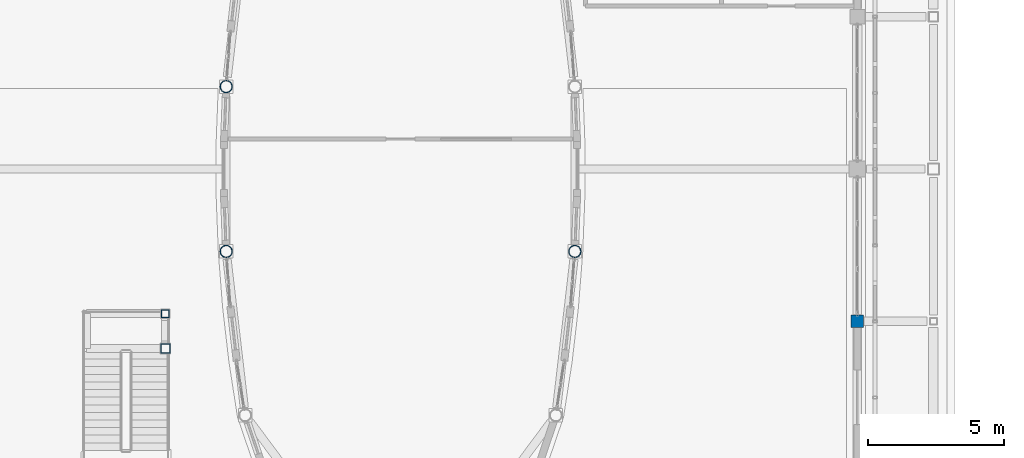
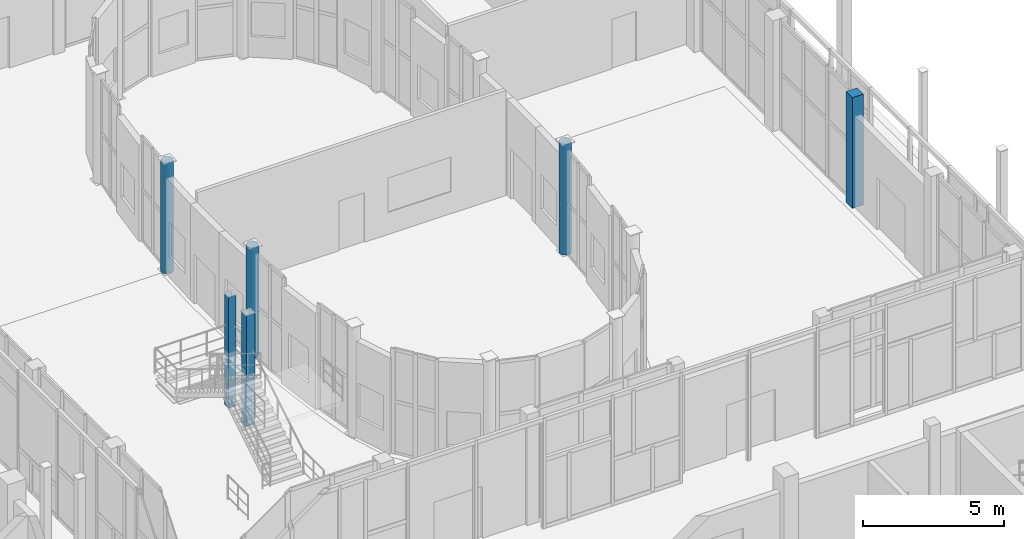
# One storey, part 11 of 91: 6 columns.
"""IFC4 building model written with IfcOpenShell, lengths in metres."""

from ifc_helpers import new_model, si_unit, direction, frame, origin, origin_2d, place, context, subcontext, project, spatial, rectangle, hollow_rectangle, hollow_circle, extrude, material, material_profile, profile_set, type_object, element, save


model = new_model("IFC4")

# Units and contexts
model_context = context("Model", 3, precision=1e-05, world=origin(), true_north=direction((0.0, 1.0)))
body_context = subcontext(model_context, "Body", "Model", "MODEL_VIEW")
ifc_project = project(units=[si_unit("LENGTHUNIT", "METRE"), si_unit("AREAUNIT", "SQUARE_METRE"), si_unit("VOLUMEUNIT", "CUBIC_METRE"), si_unit("PLANEANGLEUNIT", "RADIAN"), si_unit("MASSUNIT", "GRAM", prefix="KILO")], contexts=[model_context])

# Site, building, storey
site_placement = place(None, origin())
site = spatial("IfcSite", under=ifc_project, at=site_placement, CompositionType="ELEMENT")
building_placement = place(site_placement, origin())
building = spatial("IfcBuilding", under=site, at=building_placement, Name="Vinh Khe Railworks Police Headquarters", CompositionType="ELEMENT")
storey_placement = place(building_placement, origin())
storey = spatial("IfcBuildingStorey", under=building, at=storey_placement, Name="L00", CompositionType="ELEMENT", Elevation=0.0)

# Columns
ifc_material_1 = material(Name="Concrete C40/50 (B40)", Category="concrete")
ifc_material_profile_1 = material_profile(ifc_material_1, rectangle(XDim=0.449951171875, YDim=0.449951171875, at=origin_2d()), Name="RC 450x450")
ifc_profile_set_1 = profile_set([ifc_material_profile_1], Name="Concrete C40/50 (B40)")
column_type_1 = type_object("IfcColumnType", Name="RC Column RC 450x450", PredefinedType="COLUMN", material=ifc_profile_set_1)
column_1_placement = place(storey_placement, frame((60.0, 36.39990234375, 0.0), z_axis=(0.0, 0.0, 1.0), x_axis=(1.0, 0.0, 0.0)))
element("IfcColumn", 1, at=column_1_placement, inside=storey, type_object=column_type_1, Name="Column COL-L00-CC-08-1018", PredefinedType="COLUMN", context=body_context, shape_type="SweptSolid", body=[
    extrude(rectangle(XDim=0.449951171875, YDim=0.449951171875, at=origin_2d()), origin(), (0.0, 0.0, 1.0), 4.800048828125),
])
ifc_material_2 = material(Name="Steel S355JR", Category="steel")
ifc_material_profile_2 = material_profile(ifc_material_2, hollow_circle(Radius=0.228515625, WallThickness=0.02001953125, at=origin_2d()), Name="CHS 457x20")
ifc_profile_set_2 = profile_set([ifc_material_profile_2], Name="Steel S355JR")
column_type_2 = type_object("IfcColumnType", Name="Steel Column CHS 457x20", PredefinedType="COLUMN", material=ifc_profile_set_2)
for number, where, z_axis, x_axis, name in (
    (2, (36.78759765625, 38.968017578125, 0.0), (0.0, 0.0, 1.0), (-0.997039347045, -0.076893045491, 0.0), "Column COL-L00-SC-25-0830"),
    (3, (36.78759765625, 45.031982421875, 0.0), (0.0, 0.0, 1.0), (-0.999256201254, 0.038562212782, 0.0), "Column COL-L00-SC-25-0835"),
    (4, (49.6123046875, 38.968017578125, 0.0), (0.0, 0.0, 1.0), (0.999256201254, -0.038562212782, 0.0), "Column COL-L00-SC-25-0950"),
):
    element("IfcColumn", number, at=place(storey_placement, frame(where, z_axis=z_axis, x_axis=x_axis)), inside=storey, type_object=column_type_2, Name=name, PredefinedType="COLUMN", context=body_context, shape_type="SweptSolid", body=[
        extrude(hollow_circle(Radius=0.228515625, WallThickness=0.02001953125, at=origin_2d()), origin(), (0.0, 0.0, 1.0), 4.800048828125),
    ])
ifc_material_profile_3 = material_profile(ifc_material_2, hollow_rectangle(XDim=0.300048828125, YDim=0.300048828125, WallThickness=0.01611328125, at=origin_2d()), Name="SHS 300x300x16")
ifc_profile_set_3 = profile_set([ifc_material_profile_3], Name="Steel S355JR")
column_type_3 = type_object("IfcColumnType", Name="Steel Column SHS 300x300x16", PredefinedType="COLUMN", material=ifc_profile_set_3)
column_2_placement = place(storey_placement, frame((34.550048828125, 36.679931640625, 0.0), z_axis=(0.0, 0.0, 1.0), x_axis=(1.0, 0.0, 0.0)))
element("IfcColumn", 5, at=column_2_placement, inside=storey, type_object=column_type_3, Name="Column COL-L00-SC-23-0826", PredefinedType="COLUMN", context=body_context, shape_type="SweptSolid", body=[
    extrude(hollow_rectangle(XDim=0.300048828125, YDim=0.300048828125, WallThickness=0.01611328125, at=origin_2d()), origin(), (0.0, 0.0, 1.0), 4.800048828125),
])
ifc_material_profile_4 = material_profile(ifc_material_2, hollow_rectangle(XDim=0.35009765625, YDim=0.35009765625, WallThickness=0.01611328125, at=origin_2d()), Name="SHS 350x350x16")
ifc_profile_set_4 = profile_set([ifc_material_profile_4], Name="Steel S355JR")
column_type_4 = type_object("IfcColumnType", Name="Steel Column SHS 350x350x16", PredefinedType="COLUMN", material=ifc_profile_set_4)
column_3_placement = place(storey_placement, frame((34.550048828125, 35.39990234375, 0.0), z_axis=(0.0, 0.0, 1.0), x_axis=(1.0, 0.0, 0.0)))
element("IfcColumn", 6, at=column_3_placement, inside=storey, type_object=column_type_4, Name="Column COL-L00-SC-22-0822", PredefinedType="COLUMN", context=body_context, shape_type="SweptSolid", body=[
    extrude(hollow_rectangle(XDim=0.35009765625, YDim=0.35009765625, WallThickness=0.01611328125, at=origin_2d()), origin(), (0.0, 0.0, 1.0), 4.800048828125),
])

save(model, "model.ifc")
